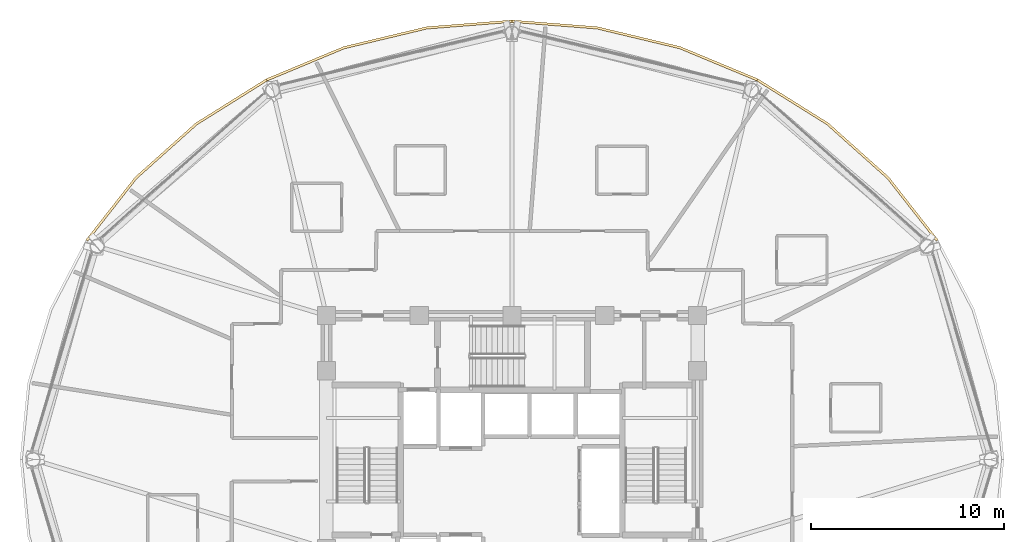
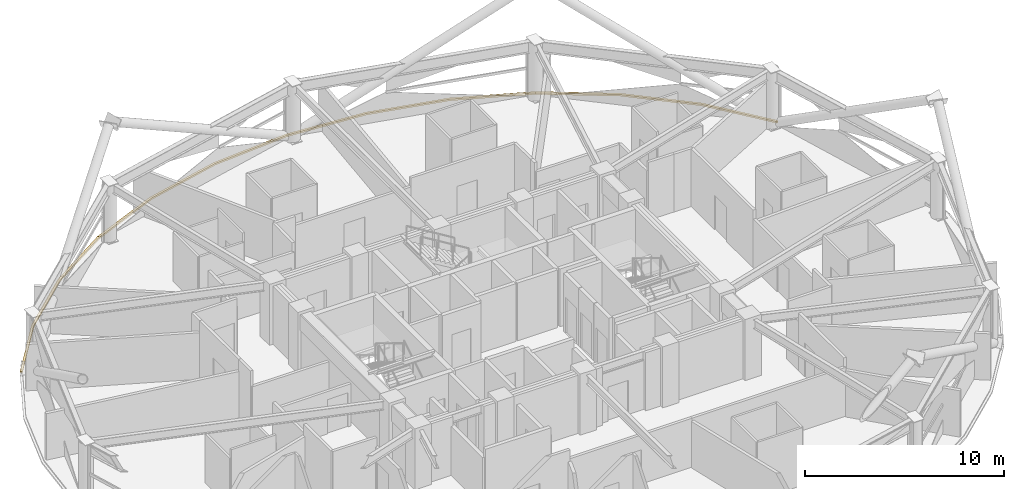
# One storey, part 29 of 29: 4 coverings.
"""IFC4 building model written with IfcOpenShell, lengths in metres."""

from ifc_helpers import new_model, si_unit, direction, frame, origin, place, context, subcontext, project, spatial, polyline, outline, extrude, material, layer, layer_set, type_object, element, save


model = new_model("IFC4")

# Units and contexts
model_context = context("Model", 3, precision=1e-05, world=origin(), true_north=direction((0.0, 1.0)))
body_context = subcontext(model_context, "Body", "Model", "MODEL_VIEW")
ifc_project = project(units=[si_unit("LENGTHUNIT", "METRE"), si_unit("AREAUNIT", "SQUARE_METRE"), si_unit("VOLUMEUNIT", "CUBIC_METRE"), si_unit("PLANEANGLEUNIT", "RADIAN"), si_unit("MASSUNIT", "GRAM", prefix="KILO")], contexts=[model_context])

# Site, building, storey
site_placement = place(None, origin())
site = spatial("IfcSite", under=ifc_project, at=site_placement, CompositionType="ELEMENT")
building_placement = place(site_placement, origin())
building = spatial("IfcBuilding", under=site, at=building_placement, Name="Vantalir Tower", CompositionType="ELEMENT")
storey_placement = place(building_placement, frame((0.0, 0.0, 157.199951171875)))
storey = spatial("IfcBuildingStorey", under=building, at=storey_placement, Name="L39", CompositionType="ELEMENT", Elevation=157.199951171875)

# Coverings
ifc_material = material(Name="Anodised champagne aluminium sill fascia", Category="aluminium")
ifc_layer = layer(ifc_material, 0.125)
ifc_layer_set = layer_set([ifc_layer], Name="Anodised champagne aluminium sill fascia")
covering_type = type_object("IfcCoveringType", Name="COV-SLAB-FASCIA-125", PredefinedType="CLADDING", material=ifc_layer_set)
covering_1_placement = place(storey_placement, frame((0.0, 0.0, -0.179931640625)))
element("IfcCovering", 1, at=covering_1_placement, inside=storey, type_object=covering_type, Name="L39 Perimeter Slab-Edge Sill Fascia 02", PredefinedType="CLADDING", context=body_context, shape_type="SweptSolid", body=[
    extrude(outline(polyline([(53.547119140625, 36.3720703125), (51.001953125, 39.6201171875), (47.864013671875, 42.423095703125), (44.22900390625, 44.697021484375), (44.1669921875, 44.589111328125), (47.783935546875, 42.326904296875), (50.906005859375, 39.5390625), (53.43896484375, 36.30908203125), (53.547119140625, 36.3720703125)])), origin(), (0.0, 0.0, 1.0), 0.10498046875),
])
covering_2_placement = place(storey_placement, frame((0.0, 0.0, -0.179931640625)))
element("IfcCovering", 2, at=covering_2_placement, inside=storey, type_object=covering_type, Name="L39 Perimeter Slab-Edge Sill Fascia 03", PredefinedType="CLADDING", context=body_context, shape_type="SweptSolid", body=[
    extrude(outline(polyline([(44.22900390625, 44.697021484375), (40.20703125, 46.3720703125), (35.9208984375, 47.39794921875), (31.5, 47.743896484375), (31.5, 47.618896484375), (35.89892578125, 47.27490234375), (40.1640625, 46.2548828125), (44.1669921875, 44.589111328125), (44.22900390625, 44.697021484375)])), origin(), (0.0, 0.0, 1.0), 0.10498046875),
])
covering_3_placement = place(storey_placement, frame((0.0, 0.0, -0.179931640625)))
element("IfcCovering", 3, at=covering_3_placement, inside=storey, type_object=covering_type, Name="L39 Perimeter Slab-Edge Sill Fascia 04", PredefinedType="CLADDING", context=body_context, shape_type="SweptSolid", body=[
    extrude(outline(polyline([(31.5, 47.743896484375), (27.0791015625, 47.39794921875), (22.79296875, 46.3720703125), (18.77099609375, 44.697021484375), (18.833984375, 44.589111328125), (22.8359375, 46.2548828125), (27.10107421875, 47.27490234375), (31.5, 47.618896484375), (31.5, 47.743896484375)])), origin(), (0.0, 0.0, 1.0), 0.10498046875),
])
covering_4_placement = place(storey_placement, frame((0.0, 0.0, -0.179931640625)))
element("IfcCovering", 4, at=covering_4_placement, inside=storey, type_object=covering_type, Name="L39 Perimeter Slab-Edge Sill Fascia 05", PredefinedType="CLADDING", context=body_context, shape_type="SweptSolid", body=[
    extrude(outline(polyline([(18.77099609375, 44.697021484375), (15.135986328125, 42.423095703125), (11.998046875, 39.6201171875), (9.452880859375, 36.3720703125), (9.56103515625, 36.30908203125), (12.093994140625, 39.5390625), (15.216064453125, 42.326904296875), (18.833984375, 44.589111328125), (18.77099609375, 44.697021484375)])), origin(), (0.0, 0.0, 1.0), 0.10498046875),
])

save(model, "model.ifc")
